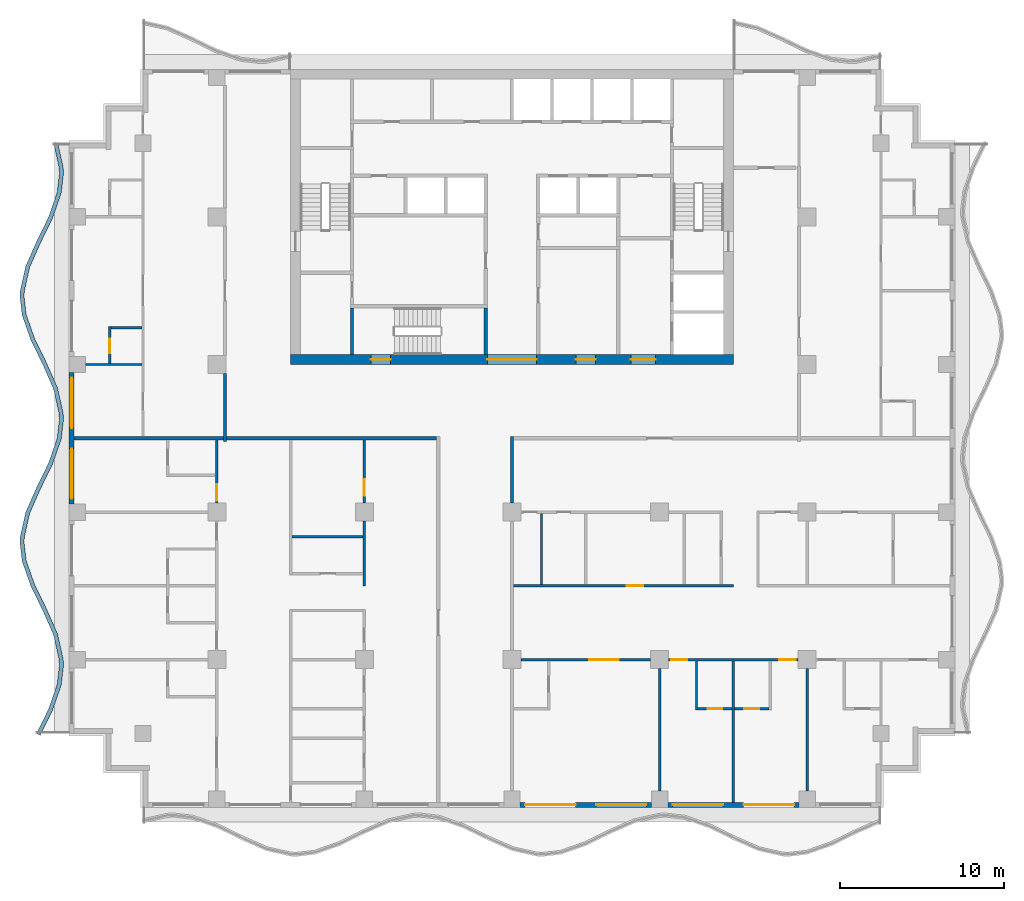
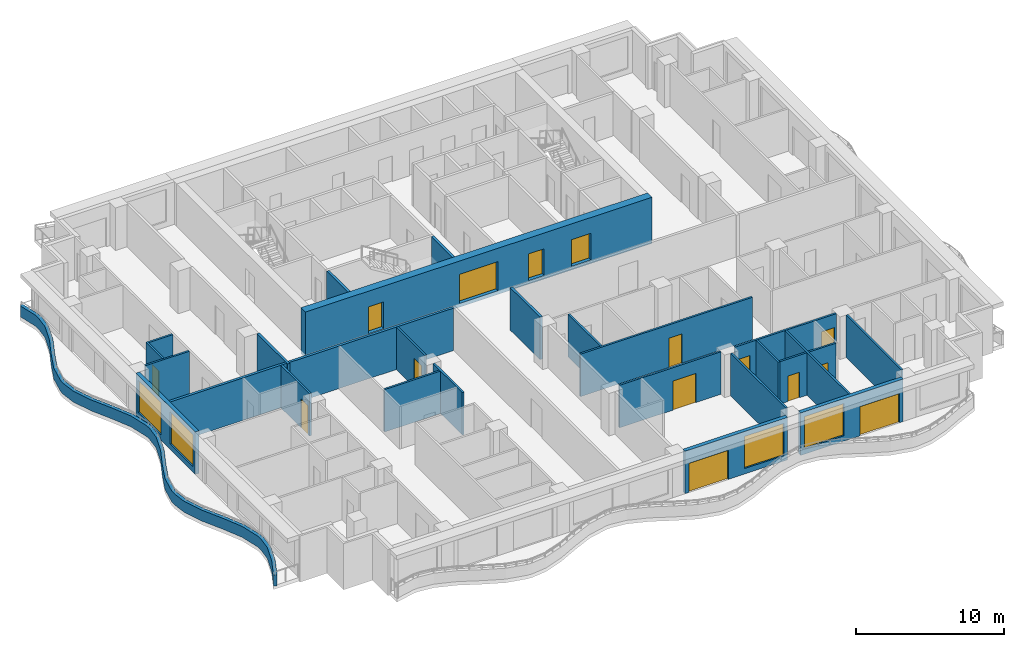
# One storey, part 3 of 11: 28 walls, 15 doors, 4 windows, 19 openings.
"""IFC4 building model written with IfcOpenShell, lengths in metres."""

from ifc_helpers import new_model, si_unit, direction, frame, frame_2d, origin, place, context, subcontext, project, spatial, polyline, rectangle, outline, extrude, material, layer, layer_set, type_object, element, fill, save


model = new_model("IFC4")

# Units and contexts
model_context = context("Model", 3, precision=1e-05, world=origin(), true_north=direction((0.0, 1.0)))
body_context = subcontext(model_context, "Body", "Model", "MODEL_VIEW")
ifc_project = project(units=[si_unit("LENGTHUNIT", "METRE"), si_unit("AREAUNIT", "SQUARE_METRE"), si_unit("VOLUMEUNIT", "CUBIC_METRE"), si_unit("PLANEANGLEUNIT", "RADIAN"), si_unit("MASSUNIT", "GRAM", prefix="KILO")], contexts=[model_context])

# Site, building, storey
site_placement = place(None, origin())
site = spatial("IfcSite", under=ifc_project, at=site_placement, CompositionType="ELEMENT")
building_placement = place(site_placement, origin())
building = spatial("IfcBuilding", under=site, at=building_placement, Name="Orbiselva Terraces", CompositionType="ELEMENT")
storey_placement = place(building_placement, frame((0.0, 0.0, 199.6)))
storey = spatial("IfcBuildingStorey", under=building, at=storey_placement, Name="L50", CompositionType="ELEMENT", Elevation=199.6)

# Wall, openings, doors
ifc_material_1 = material(Name="Concrete C80/95", Category="concrete")
ifc_layer_1 = layer(ifc_material_1, 0.6)
ifc_layer_set_1 = layer_set([ifc_layer_1], Name="Concrete C80/95")
wall_type_1 = type_object("IfcWallType", Name="CORE WALL 600", PredefinedType="SHEAR", material=ifc_layer_set_1)
wall_1_placement = place(storey_placement, frame((-13.5, 4.8, -0.3), z_axis=(0.0, 0.0, 1.0), x_axis=(1.0, 0.0, 0.0)))
wall_1 = element("IfcWall", 1, at=wall_1_placement, inside=storey, type_object=wall_type_1, Name="Core wall L50 south", PredefinedType="SHEAR", context=body_context, shape_type="SweptSolid", body=[
    extrude(rectangle(XDim=27.0, YDim=0.6, at=frame_2d((13.5, 0.0))), origin(), (0.0, 0.0, 1.0), 3.8),
])
opening_1_placement = place(wall_1_placement, frame((12.0, 0.0, 0.3)))
opening_1 = element("IfcOpeningElement", 2, at=opening_1_placement, cuts=wall_1, Name="Opening DL3000", PredefinedType="OPENING", context=body_context, shape_type="SweptSolid", body=[
    extrude(rectangle(XDim=3.0, YDim=2.4, at=frame_2d((1.5, 1.2))), frame((0.0, 0.31, 0.0), z_axis=(0.0, -1.0, 0.0), x_axis=(1.0, 0.0, 0.0)), (0.0, 0.0, 1.0), 0.62),
])
opening_2_placement = place(wall_1_placement, frame((4.9, 0.0, 0.3)))
opening_2 = element("IfcOpeningElement", 3, at=opening_2_placement, cuts=wall_1, Name="Opening DS1200", PredefinedType="OPENING", context=body_context, shape_type="SweptSolid", body=[
    extrude(rectangle(XDim=1.2, YDim=2.2, at=frame_2d((0.6, 1.1))), frame((0.0, 0.31, 0.0), z_axis=(0.0, -1.0, 0.0), x_axis=(1.0, 0.0, 0.0)), (0.0, 0.0, 1.0), 0.62),
])
opening_3_placement = place(wall_1_placement, frame((20.75, 0.0, 0.3)))
opening_3 = element("IfcOpeningElement", 4, at=opening_3_placement, cuts=wall_1, Name="Opening DF1500", PredefinedType="OPENING", context=body_context, shape_type="SweptSolid", body=[
    extrude(rectangle(XDim=1.5, YDim=2.2, at=frame_2d((0.75, 1.1))), frame((0.0, 0.31, 0.0), z_axis=(0.0, -1.0, 0.0), x_axis=(1.0, 0.0, 0.0)), (0.0, 0.0, 1.0), 0.62),
])
opening_4_placement = place(wall_1_placement, frame((17.4, 0.0, 0.3)))
opening_4 = element("IfcOpeningElement", 5, at=opening_4_placement, cuts=wall_1, Name="Opening DV1200", PredefinedType="OPENING", context=body_context, shape_type="SweptSolid", body=[
    extrude(rectangle(XDim=1.2, YDim=2.2, at=frame_2d((0.6, 1.1))), frame((0.0, 0.31, 0.0), z_axis=(0.0, -1.0, 0.0), x_axis=(1.0, 0.0, 0.0)), (0.0, 0.0, 1.0), 0.62),
])
ifc_material_2 = material(Name="Steel fire door", Category="steel")
door_type_1 = type_object("IfcDoorType", Name="FFL DOOR 1500", OperationType="DOUBLE_DOOR_SINGLE_SWING", PredefinedType="DOOR", material=ifc_material_2)
door_1_placement = place(opening_3_placement, frame((1.5, 0.0, 0.0), z_axis=(0.0, 0.0, 1.0), x_axis=(-1.0, 0.0, 0.0)))
door_1 = element("IfcDoor", 6, at=door_1_placement, inside=storey, type_object=door_type_1, Name="L50 FIRE-FIGHTING LOBBY door", OperationType="DOUBLE_DOOR_SINGLE_SWING", OverallHeight=2.2, OverallWidth=1.5, PredefinedType="DOOR", context=body_context, shape_type="SweptSolid", body=[
    extrude(rectangle(XDim=1.5, YDim=2.2, at=frame_2d((0.75, 1.1))), frame((0.0, 0.025, 0.0), z_axis=(0.0, -1.0, 0.0), x_axis=(1.0, 0.0, 0.0)), (0.0, 0.0, 1.0), 0.05),
])
fill(opening_3, door_1)
door_type_2 = type_object("IfcDoorType", Name="LOBBY DOOR 3000", OperationType="DOUBLE_DOOR_SINGLE_SWING", PredefinedType="DOOR", material=ifc_material_2)
door_2_placement = place(opening_1_placement, frame((3.0, 0.0, 0.0), z_axis=(0.0, 0.0, 1.0), x_axis=(-1.0, 0.0, 0.0)))
door_2 = element("IfcDoor", 7, at=door_2_placement, inside=storey, type_object=door_type_2, Name="L50 LIFT LOBBY door", OperationType="DOUBLE_DOOR_SINGLE_SWING", OverallHeight=2.4, OverallWidth=3.0, PredefinedType="DOOR", context=body_context, shape_type="SweptSolid", body=[
    extrude(rectangle(XDim=3.0, YDim=2.4, at=frame_2d((1.5, 1.2))), frame((0.0, 0.025, 0.0), z_axis=(0.0, -1.0, 0.0), x_axis=(1.0, 0.0, 0.0)), (0.0, 0.0, 1.0), 0.05),
])
fill(opening_1, door_2)
door_type_3 = type_object("IfcDoorType", Name="SERVICE DOOR 1200", OperationType="NOTDEFINED", PredefinedType="DOOR", material=ifc_material_2)
door_3_placement = place(opening_4_placement, frame((1.2, 0.0, 0.0), z_axis=(0.0, 0.0, 1.0), x_axis=(-1.0, 0.0, 0.0)))
door_3 = element("IfcDoor", 8, at=door_3_placement, inside=storey, type_object=door_type_3, Name="L50 SERVICE ROOM door", OperationType="SINGLE_SWING_RIGHT", OverallHeight=2.2, OverallWidth=1.2, PredefinedType="DOOR", context=body_context, shape_type="SweptSolid", body=[
    extrude(rectangle(XDim=1.2, YDim=2.2, at=frame_2d((0.6, 1.1))), frame((0.0, 0.025, 0.0), z_axis=(0.0, -1.0, 0.0), x_axis=(1.0, 0.0, 0.0)), (0.0, 0.0, 1.0), 0.05),
])
fill(opening_4, door_3)
door_type_4 = type_object("IfcDoorType", Name="STAIR DOOR 1200", OperationType="NOTDEFINED", PredefinedType="DOOR", material=ifc_material_2)
door_4_placement = place(opening_2_placement, frame((1.2, 0.0, 0.0), z_axis=(0.0, 0.0, 1.0), x_axis=(-1.0, 0.0, 0.0)))
door_4 = element("IfcDoor", 9, at=door_4_placement, inside=storey, type_object=door_type_4, Name="L50 EXIT STAIR S3 door", OperationType="SINGLE_SWING_LEFT", OverallHeight=2.2, OverallWidth=1.2, PredefinedType="DOOR", context=body_context, shape_type="SweptSolid", body=[
    extrude(rectangle(XDim=1.2, YDim=2.2, at=frame_2d((0.6, 1.1))), frame((0.0, 0.025, 0.0), z_axis=(0.0, -1.0, 0.0), x_axis=(1.0, 0.0, 0.0)), (0.0, 0.0, 1.0), 0.05),
])
fill(opening_2, door_4)

# Walls
ifc_material_3 = material(Name="Concrete C60/75", Category="concrete")
ifc_layer_2 = layer(ifc_material_3, 0.2)
ifc_layer_set_2 = layer_set([ifc_layer_2], Name="Concrete C60/75")
wall_type_2 = type_object("IfcWallType", Name="CORE-WALL-SHEAR-200", PredefinedType="SHEAR", material=ifc_layer_set_2)
for number, where, z_axis, x_axis, name in (
    (10, (-9.75, 5.1, 0.0), (0.0, 0.0, 1.0), (0.0, 1.0, 0.0), "L50 core wall 03"),
    (11, (-1.6, 5.1, 0.0), (0.0, 0.0, 1.0), (0.0, 1.0, 0.0), "L50 core wall 17"),
):
    element("IfcWall", number, at=place(storey_placement, frame(where, z_axis=z_axis, x_axis=x_axis)), inside=storey, type_object=wall_type_2, Name=name, PredefinedType="SHEAR", context=body_context, shape_type="SweptSolid", body=[
        extrude(rectangle(XDim=2.85, YDim=0.2, at=frame_2d((1.425, 0.0))), origin(), (0.0, 0.0, 1.0), 3.5),
    ])
ifc_material_4 = material(Name="Concrete C40/50", Category="concrete")
ifc_layer_3 = layer(ifc_material_4, 0.25)
ifc_layer_set_3 = layer_set([ifc_layer_3], Name="Concrete C40/50")
wall_type_3 = type_object("IfcWallType", Name="ENV-PLANTER-250x900", PredefinedType="USERDEFINED", material=ifc_layer_set_3)
wall_2_placement = place(storey_placement, origin())
element("IfcWall", 12, at=wall_2_placement, inside=storey, type_object=wall_type_3, Name="Balcony planter L50 W", ObjectType="PLANTER", PredefinedType="USERDEFINED", context=body_context, shape_type="SweptSolid", body=[
    extrude(outline(polyline([(-27.951472, 18.0), (-27.614774, 16.5), (-27.6, 16.125), (-27.730792, 15.0), (-28.255211, 13.5), (-28.987721, 12.0), (-29.648528, 10.5), (-29.985226, 9.0), (-30.0, 8.625), (-29.869208, 7.5), (-29.344789, 6.0), (-28.612279, 4.5), (-27.951472, 3.0), (-27.614774, 1.5), (-27.6, 1.125), (-27.730792, 0.0), (-28.255211, -1.5), (-28.987721, -3.0), (-29.648528, -4.5), (-29.985226, -6.0), (-30.0, -6.375), (-29.869208, -7.5), (-29.344789, -9.0), (-28.612279, -10.5), (-27.951472, -12.0), (-27.614774, -13.5), (-27.6, -13.875), (-27.730792, -15.0), (-28.255211, -16.5), (-28.987721, -18.0), (-28.763076, -18.109703), (-28.024089, -16.59644), (-27.485662, -15.056371), (-27.349429, -13.884572), (-27.365863, -13.467435), (-27.712874, -11.921492), (-28.385477, -10.394714), (-29.113667, -8.90356), (-29.624078, -7.443629), (-29.749429, -6.365428), (-29.736315, -6.032565), (-29.40993, -4.578508), (-28.760919, -3.105286), (-28.024089, -1.59644), (-27.485662, -0.056371), (-27.349429, 1.115428), (-27.365863, 1.532565), (-27.712874, 3.078508), (-28.385477, 4.605286), (-29.113667, 6.09644), (-29.624078, 7.556371), (-29.749429, 8.634572), (-29.736315, 8.967435), (-29.40993, 10.421492), (-28.760919, 11.894714), (-28.024089, 13.40356), (-27.485662, 14.943629), (-27.349429, 16.115428), (-27.365863, 16.532565), (-27.707542, 18.054754), (-27.951472, 18.0)])), origin(), (0.0, 0.0, 1.0), 0.9),
])

# Wall, openings, door, window
ifc_material_5 = material(Name="Terracotta cladding on masonry backing", Category="masonry")
ifc_layer_4 = layer(ifc_material_5, 0.3)
ifc_layer_set_4 = layer_set([ifc_layer_4], Name="Terracotta cladding on masonry backing")
wall_type_4 = type_object("IfcWallType", Name="ENV-WALL-TERRACOTTA-300", PredefinedType="SOLIDWALL", material=ifc_layer_set_4)
wall_3_placement = place(storey_placement, frame((8.5, -22.35, 0.0), z_axis=(0.0, 0.0, 1.0), x_axis=(-1.0, 0.0, 0.0)))
wall_3 = element("IfcWall", 13, at=wall_3_placement, inside=storey, type_object=wall_type_4, Name="Facade wall L50 S", PredefinedType="SOLIDWALL", context=body_context, shape_type="SweptSolid", body=[
    extrude(rectangle(XDim=8.0, YDim=0.3, at=frame_2d((4.0, 0.0))), origin(), (0.0, 0.0, 1.0), 3.5),
])
opening_5_placement = place(wall_3_placement, frame((4.625, 0.0, 0.0)))
opening_5 = element("IfcOpeningElement", 14, at=opening_5_placement, cuts=wall_3, Name="Opening Z4-B-E12", PredefinedType="OPENING", context=body_context, shape_type="SweptSolid", body=[
    extrude(rectangle(XDim=3.075, YDim=2.4, at=frame_2d((1.5375, 1.2))), frame((0.0, 0.16, 0.0), z_axis=(0.0, -1.0, 0.0), x_axis=(1.0, 0.0, 0.0)), (0.0, 0.0, 1.0), 0.32),
])
opening_6_placement = place(wall_3_placement, frame((0.3, 0.0, 0.45)))
opening_6 = element("IfcOpeningElement", 15, at=opening_6_placement, cuts=wall_3, Name="Opening WN15", PredefinedType="OPENING", context=body_context, shape_type="SweptSolid", body=[
    extrude(rectangle(XDim=3.075, YDim=2.65, at=frame_2d((1.5375, 1.325))), frame((0.0, 0.16, 0.0), z_axis=(0.0, -1.0, 0.0), x_axis=(1.0, 0.0, 0.0)), (0.0, 0.0, 1.0), 0.32),
])
ifc_material_6 = material(Name="Clear low-e glazing in aluminium frame", Category="aluminium")
door_type_5 = type_object("IfcDoorType", Name="BALCONY DOOR 3075 X 2400", OperationType="DOUBLE_DOOR_SLIDING", PredefinedType="DOOR", material=ifc_material_6)
door_5_placement = place(opening_5_placement, origin())
door_5 = element("IfcDoor", 16, at=door_5_placement, inside=storey, type_object=door_type_5, Name="Z4-B-E12", OperationType="SINGLE_SWING_LEFT", OverallHeight=2.4, OverallWidth=3.075, PredefinedType="DOOR", context=body_context, shape_type="SweptSolid", body=[
    extrude(rectangle(XDim=3.075, YDim=2.4, at=frame_2d((1.5375, 1.2))), frame((0.0, 0.025, 0.0), z_axis=(0.0, -1.0, 0.0), x_axis=(1.0, 0.0, 0.0)), (0.0, 0.0, 1.0), 0.05),
])
fill(opening_5, door_5)
window_type = type_object("IfcWindowType", Name="WINDOW 3075 X 2650 S450", PartitioningType="TRIPLE_PANEL_VERTICAL", PredefinedType="WINDOW", material=ifc_material_6)
window_1_placement = place(opening_6_placement, origin())
window_1 = element("IfcWindow", 17, at=window_1_placement, inside=storey, type_object=window_type, Name="Window L50 S", OverallHeight=2.65, OverallWidth=3.075, PartitioningType="SINGLE_PANEL", PredefinedType="WINDOW", context=body_context, shape_type="SweptSolid", body=[
    extrude(rectangle(XDim=3.075, YDim=2.65, at=frame_2d((1.5375, 1.325))), frame((0.0, 0.03, 0.0), z_axis=(0.0, -1.0, 0.0), x_axis=(1.0, 0.0, 0.0)), (0.0, 0.0, 1.0), 0.06),
])
fill(opening_6, window_1)

wall_4_placement = place(storey_placement, frame((17.5, -22.35, 0.0), z_axis=(0.0, 0.0, 1.0), x_axis=(-1.0, 0.0, 0.0)))
wall_4 = element("IfcWall", 18, at=wall_4_placement, inside=storey, type_object=wall_type_4, Name="Facade wall L50 S", PredefinedType="SOLIDWALL", context=body_context, shape_type="SweptSolid", body=[
    extrude(rectangle(XDim=8.0, YDim=0.3, at=frame_2d((4.0, 0.0))), origin(), (0.0, 0.0, 1.0), 3.5),
])
opening_7_placement = place(wall_4_placement, frame((4.625, 0.0, 0.45)))
opening_7 = element("IfcOpeningElement", 19, at=opening_7_placement, cuts=wall_4, Name="Opening WN15", PredefinedType="OPENING", context=body_context, shape_type="SweptSolid", body=[
    extrude(rectangle(XDim=3.075, YDim=2.65, at=frame_2d((1.5375, 1.325))), frame((0.0, 0.16, 0.0), z_axis=(0.0, -1.0, 0.0), x_axis=(1.0, 0.0, 0.0)), (0.0, 0.0, 1.0), 0.32),
])
opening_8_placement = place(wall_4_placement, frame((0.3, 0.0, 0.0)))
opening_8 = element("IfcOpeningElement", 20, at=opening_8_placement, cuts=wall_4, Name="Opening Z4-B-E13", PredefinedType="OPENING", context=body_context, shape_type="SweptSolid", body=[
    extrude(rectangle(XDim=3.075, YDim=2.4, at=frame_2d((1.5375, 1.2))), frame((0.0, 0.16, 0.0), z_axis=(0.0, -1.0, 0.0), x_axis=(1.0, 0.0, 0.0)), (0.0, 0.0, 1.0), 0.32),
])
door_6_placement = place(opening_8_placement, origin())
door_6 = element("IfcDoor", 21, at=door_6_placement, inside=storey, type_object=door_type_5, Name="Z4-B-E13", OperationType="SINGLE_SWING_LEFT", OverallHeight=2.4, OverallWidth=3.075, PredefinedType="DOOR", context=body_context, shape_type="SweptSolid", body=[
    extrude(rectangle(XDim=3.075, YDim=2.4, at=frame_2d((1.5375, 1.2))), frame((0.0, 0.025, 0.0), z_axis=(0.0, -1.0, 0.0), x_axis=(1.0, 0.0, 0.0)), (0.0, 0.0, 1.0), 0.05),
])
fill(opening_8, door_6)
window_2_placement = place(opening_7_placement, origin())
window_2 = element("IfcWindow", 22, at=window_2_placement, inside=storey, type_object=window_type, Name="Window L50 S", OverallHeight=2.65, OverallWidth=3.075, PartitioningType="SINGLE_PANEL", PredefinedType="WINDOW", context=body_context, shape_type="SweptSolid", body=[
    extrude(rectangle(XDim=3.075, YDim=2.65, at=frame_2d((1.5375, 1.325))), frame((0.0, 0.03, 0.0), z_axis=(0.0, -1.0, 0.0), x_axis=(1.0, 0.0, 0.0)), (0.0, 0.0, 1.0), 0.06),
])
fill(opening_7, window_2)

# Wall, openings, windows
wall_5_placement = place(storey_placement, frame((-26.85, -4.0, 0.0), z_axis=(0.0, 0.0, 1.0), x_axis=(0.0, 1.0, 0.0)))
wall_5 = element("IfcWall", 23, at=wall_5_placement, inside=storey, type_object=wall_type_4, Name="Facade wall L50 W", PredefinedType="SOLIDWALL", context=body_context, shape_type="SweptSolid", body=[
    extrude(rectangle(XDim=8.0, YDim=0.3, at=frame_2d((4.0, 0.0))), origin(), (0.0, 0.0, 1.0), 3.5),
])
opening_9_placement = place(wall_5_placement, frame((4.625, 0.0, 0.45)))
opening_9 = element("IfcOpeningElement", 24, at=opening_9_placement, cuts=wall_5, Name="Opening WN15", PredefinedType="OPENING", context=body_context, shape_type="SweptSolid", body=[
    extrude(rectangle(XDim=3.075, YDim=2.65, at=frame_2d((1.5375, 1.325))), frame((0.0, 0.16, 0.0), z_axis=(0.0, -1.0, 0.0), x_axis=(1.0, 0.0, 0.0)), (0.0, 0.0, 1.0), 0.32),
])
opening_10_placement = place(wall_5_placement, frame((0.3, 0.0, 0.45)))
opening_10 = element("IfcOpeningElement", 25, at=opening_10_placement, cuts=wall_5, Name="Opening WN15", PredefinedType="OPENING", context=body_context, shape_type="SweptSolid", body=[
    extrude(rectangle(XDim=3.075, YDim=2.65, at=frame_2d((1.5375, 1.325))), frame((0.0, 0.16, 0.0), z_axis=(0.0, -1.0, 0.0), x_axis=(1.0, 0.0, 0.0)), (0.0, 0.0, 1.0), 0.32),
])
window_3_placement = place(opening_9_placement, origin())
window_3 = element("IfcWindow", 26, at=window_3_placement, inside=storey, type_object=window_type, Name="Window L50 W", OverallHeight=2.65, OverallWidth=3.075, PartitioningType="SINGLE_PANEL", PredefinedType="WINDOW", context=body_context, shape_type="SweptSolid", body=[
    extrude(rectangle(XDim=3.075, YDim=2.65, at=frame_2d((1.5375, 1.325))), frame((0.0, 0.03, 0.0), z_axis=(0.0, -1.0, 0.0), x_axis=(1.0, 0.0, 0.0)), (0.0, 0.0, 1.0), 0.06),
])
fill(opening_9, window_3)
window_4_placement = place(opening_10_placement, origin())
window_4 = element("IfcWindow", 27, at=window_4_placement, inside=storey, type_object=window_type, Name="Window L50 W", OverallHeight=2.65, OverallWidth=3.075, PartitioningType="SINGLE_PANEL", PredefinedType="WINDOW", context=body_context, shape_type="SweptSolid", body=[
    extrude(rectangle(XDim=3.075, YDim=2.65, at=frame_2d((1.5375, 1.325))), frame((0.0, 0.03, 0.0), z_axis=(0.0, -1.0, 0.0), x_axis=(1.0, 0.0, 0.0)), (0.0, 0.0, 1.0), 0.06),
])
fill(opening_10, window_4)

# Walls
ifc_material_7 = material(Name="Plasterboard on steel stud partition", Category="steel")
ifc_layer_5 = layer(ifc_material_7, 0.2)
ifc_layer_set_5 = layer_set([ifc_layer_5], Name="Plasterboard on steel stud partition")
wall_type_5 = type_object("IfcWallType", Name="UNIT-ENTRANCE-WALL-200", PredefinedType="PARTITIONING", material=ifc_layer_set_5)
wall_6_placement = place(storey_placement, frame((-17.4, 0.0, 0.0), z_axis=(0.0, 0.0, 1.0), x_axis=(1.0, 0.0, 0.0)))
element("IfcWall", 28, at=wall_6_placement, inside=storey, type_object=wall_type_5, Name="PARTITION L50-029", PredefinedType="PARTITIONING", context=body_context, shape_type="SweptSolid", body=[
    extrude(rectangle(XDim=12.8, YDim=0.2, at=frame_2d((6.4, 0.0))), origin(), (0.0, 0.0, 1.0), 3.5),
])
wall_7_placement = place(storey_placement, frame((-17.5, -0.2, 0.0), z_axis=(0.0, 0.0, 1.0), x_axis=(0.0, 1.0, 0.0)))
element("IfcWall", 29, at=wall_7_placement, inside=storey, type_object=wall_type_5, Name="PARTITION L50-052", PredefinedType="PARTITIONING", context=body_context, shape_type="SweptSolid", body=[
    extrude(rectangle(XDim=4.15, YDim=0.2, at=frame_2d((2.075, 0.0))), origin(), (0.0, 0.0, 1.0), 3.5),
])
wall_8_placement = place(storey_placement, frame((0.0, -3.95, 0.0), z_axis=(0.0, 0.0, 1.0), x_axis=(0.0, 1.0, 0.0)))
element("IfcWall", 30, at=wall_8_placement, inside=storey, type_object=wall_type_5, Name="PARTITION L50-064", PredefinedType="PARTITIONING", context=body_context, shape_type="SweptSolid", body=[
    extrude(rectangle(XDim=4.05, YDim=0.2, at=frame_2d((2.025, 0.0))), origin(), (0.0, 0.0, 1.0), 3.5),
])

# Wall, opening, door
ifc_layer_6 = layer(ifc_material_7, 0.15)
ifc_layer_set_6 = layer_set([ifc_layer_6], Name="Plasterboard on steel stud partition")
wall_type_6 = type_object("IfcWallType", Name="UNIT-PARTITION-150", PredefinedType="PARTITIONING", material=ifc_layer_set_6)
wall_9_placement = place(storey_placement, frame((11.325, -16.5, 0.0), z_axis=(0.0, 0.0, 1.0), x_axis=(1.0, 0.0, 0.0)))
wall_9 = element("IfcWall", 31, at=wall_9_placement, inside=storey, type_object=wall_type_6, Name="PARTITION L50-005", PredefinedType="PARTITIONING", context=body_context, shape_type="SweptSolid", body=[
    extrude(rectangle(XDim=2.1, YDim=0.15, at=frame_2d((1.05, 0.0))), origin(), (0.0, 0.0, 1.0), 3.5),
])
opening_11_placement = place(wall_9_placement, frame((0.6, 0.0, 0.0)))
opening_11 = element("IfcOpeningElement", 32, at=opening_11_placement, cuts=wall_9, Name="Opening Z4-B-41", PredefinedType="OPENING", context=body_context, shape_type="SweptSolid", body=[
    extrude(rectangle(XDim=0.9, YDim=2.1, at=frame_2d((0.45, 1.05))), frame((0.0, 0.085, 0.0), z_axis=(0.0, -1.0, 0.0), x_axis=(1.0, 0.0, 0.0)), (0.0, 0.0, 1.0), 0.17),
])
ifc_material_8 = material(Name="Painted timber door leaf", Category="wood")
door_type_6 = type_object("IfcDoorType", Name="BATH DOOR 900", OperationType="NOTDEFINED", PredefinedType="DOOR", material=ifc_material_8)
door_7_placement = place(opening_11_placement, origin())
door_7 = element("IfcDoor", 33, at=door_7_placement, inside=storey, type_object=door_type_6, Name="Z4-B-41", OperationType="SINGLE_SWING_LEFT", OverallHeight=2.1, OverallWidth=0.9, PredefinedType="DOOR", context=body_context, shape_type="SweptSolid", body=[
    extrude(rectangle(XDim=0.9, YDim=2.1, at=frame_2d((0.45, 1.05))), frame((0.0, 0.025, 0.0), z_axis=(0.0, -1.0, 0.0), x_axis=(1.0, 0.0, 0.0)), (0.0, 0.0, 1.0), 0.05),
])
fill(opening_11, door_7)

wall_10_placement = place(storey_placement, frame((13.575, -16.5, 0.0), z_axis=(0.0, 0.0, 1.0), x_axis=(1.0, 0.0, 0.0)))
wall_10 = element("IfcWall", 34, at=wall_10_placement, inside=storey, type_object=wall_type_6, Name="PARTITION L50-006", PredefinedType="PARTITIONING", context=body_context, shape_type="SweptSolid", body=[
    extrude(rectangle(XDim=2.1, YDim=0.15, at=frame_2d((1.05, 0.0))), origin(), (0.0, 0.0, 1.0), 3.5),
])
opening_12_placement = place(wall_10_placement, frame((0.6, 0.0, 0.0)))
opening_12 = element("IfcOpeningElement", 35, at=opening_12_placement, cuts=wall_10, Name="Opening Z4-B-43", PredefinedType="OPENING", context=body_context, shape_type="SweptSolid", body=[
    extrude(rectangle(XDim=0.9, YDim=2.1, at=frame_2d((0.45, 1.05))), frame((0.0, 0.085, 0.0), z_axis=(0.0, -1.0, 0.0), x_axis=(1.0, 0.0, 0.0)), (0.0, 0.0, 1.0), 0.17),
])
door_8_placement = place(opening_12_placement, origin())
door_8 = element("IfcDoor", 36, at=door_8_placement, inside=storey, type_object=door_type_6, Name="Z4-B-43", OperationType="SINGLE_SWING_LEFT", OverallHeight=2.1, OverallWidth=0.9, PredefinedType="DOOR", context=body_context, shape_type="SweptSolid", body=[
    extrude(rectangle(XDim=0.9, YDim=2.1, at=frame_2d((0.45, 1.05))), frame((0.0, 0.025, 0.0), z_axis=(0.0, -1.0, 0.0), x_axis=(1.0, 0.0, 0.0)), (0.0, 0.0, 1.0), 0.05),
])
fill(opening_12, door_8)

wall_11_placement = place(storey_placement, frame((8.45, -13.5, 0.0), z_axis=(0.0, 0.0, 1.0), x_axis=(-1.0, 0.0, 0.0)))
wall_11 = element("IfcWall", 37, at=wall_11_placement, inside=storey, type_object=wall_type_6, Name="PARTITION L50-011", PredefinedType="PARTITIONING", context=body_context, shape_type="SweptSolid", body=[
    extrude(rectangle(XDim=7.9, YDim=0.15, at=frame_2d((3.95, 0.0))), origin(), (0.0, 0.0, 1.0), 3.5),
])
opening_13_placement = place(wall_11_placement, frame((1.95, 0.0, 0.0)))
opening_13 = element("IfcOpeningElement", 38, at=opening_13_placement, cuts=wall_11, Name="Opening Z4-B-38", PredefinedType="OPENING", context=body_context, shape_type="SweptSolid", body=[
    extrude(rectangle(XDim=1.8, YDim=2.4, at=frame_2d((0.9, 1.2))), frame((0.0, 0.085, 0.0), z_axis=(0.0, -1.0, 0.0), x_axis=(1.0, 0.0, 0.0)), (0.0, 0.0, 1.0), 0.17),
])
door_type_7 = type_object("IfcDoorType", Name="DOUBLE DOOR 1800", OperationType="NOTDEFINED", PredefinedType="DOOR", material=ifc_material_8)
door_9_placement = place(opening_13_placement, origin())
door_9 = element("IfcDoor", 39, at=door_9_placement, inside=storey, type_object=door_type_7, Name="Z4-B-38", OperationType="DOUBLE_DOOR_SINGLE_SWING", OverallHeight=2.4, OverallWidth=1.8, PredefinedType="DOOR", context=body_context, shape_type="SweptSolid", body=[
    extrude(rectangle(XDim=1.8, YDim=2.4, at=frame_2d((0.9, 1.2))), frame((0.0, 0.025, 0.0), z_axis=(0.0, -1.0, 0.0), x_axis=(1.0, 0.0, 0.0)), (0.0, 0.0, 1.0), 0.05),
])
fill(opening_13, door_9)

# Wall, openings, doors
wall_12_placement = place(storey_placement, frame((17.45, -13.5, 0.0), z_axis=(0.0, 0.0, 1.0), x_axis=(-1.0, 0.0, 0.0)))
wall_12 = element("IfcWall", 40, at=wall_12_placement, inside=storey, type_object=wall_type_6, Name="PARTITION L50-012", PredefinedType="PARTITIONING", context=body_context, shape_type="SweptSolid", body=[
    extrude(rectangle(XDim=7.9, YDim=0.15, at=frame_2d((3.95, 0.0))), origin(), (0.0, 0.0, 1.0), 3.5),
])
opening_14_placement = place(wall_12_placement, frame((6.75, 0.0, 0.0)))
opening_14 = element("IfcOpeningElement", 41, at=opening_14_placement, cuts=wall_12, Name="Opening Z4-B-40", PredefinedType="OPENING", context=body_context, shape_type="SweptSolid", body=[
    extrude(rectangle(XDim=1.0, YDim=2.4, at=frame_2d((0.5, 1.2))), frame((0.0, 0.085, 0.0), z_axis=(0.0, -1.0, 0.0), x_axis=(1.0, 0.0, 0.0)), (0.0, 0.0, 1.0), 0.17),
])
opening_15_placement = place(wall_12_placement, frame((0.15, 0.0, 0.0)))
opening_15 = element("IfcOpeningElement", 42, at=opening_15_placement, cuts=wall_12, Name="Opening Z4-B-42", PredefinedType="OPENING", context=body_context, shape_type="SweptSolid", body=[
    extrude(rectangle(XDim=1.0, YDim=2.4, at=frame_2d((0.5, 1.2))), frame((0.0, 0.085, 0.0), z_axis=(0.0, -1.0, 0.0), x_axis=(1.0, 0.0, 0.0)), (0.0, 0.0, 1.0), 0.17),
])
door_type_8 = type_object("IfcDoorType", Name="ROOM DOOR 1000", OperationType="NOTDEFINED", PredefinedType="DOOR", material=ifc_material_8)
door_10_placement = place(opening_14_placement, origin())
door_10 = element("IfcDoor", 43, at=door_10_placement, inside=storey, type_object=door_type_8, Name="Z4-B-40", OperationType="SINGLE_SWING_RIGHT", OverallHeight=2.4, OverallWidth=1.0, PredefinedType="DOOR", context=body_context, shape_type="SweptSolid", body=[
    extrude(rectangle(XDim=1.0, YDim=2.4, at=frame_2d((0.5, 1.2))), frame((0.0, 0.025, 0.0), z_axis=(0.0, -1.0, 0.0), x_axis=(1.0, 0.0, 0.0)), (0.0, 0.0, 1.0), 0.05),
])
fill(opening_14, door_10)
door_11_placement = place(opening_15_placement, origin())
door_11 = element("IfcDoor", 44, at=door_11_placement, inside=storey, type_object=door_type_8, Name="Z4-B-42", OperationType="SINGLE_SWING_LEFT", OverallHeight=2.4, OverallWidth=1.0, PredefinedType="DOOR", context=body_context, shape_type="SweptSolid", body=[
    extrude(rectangle(XDim=1.0, YDim=2.4, at=frame_2d((0.5, 1.2))), frame((0.0, 0.025, 0.0), z_axis=(0.0, -1.0, 0.0), x_axis=(1.0, 0.0, 0.0)), (0.0, 0.0, 1.0), 0.05),
])
fill(opening_15, door_11)

# Wall, opening, door
wall_13_placement = place(storey_placement, frame((0.1, -9.0, 0.0), z_axis=(0.0, 0.0, 1.0), x_axis=(1.0, 0.0, 0.0)))
wall_13 = element("IfcWall", 45, at=wall_13_placement, inside=storey, type_object=wall_type_6, Name="PARTITION L50-018", PredefinedType="PARTITIONING", context=body_context, shape_type="SweptSolid", body=[
    extrude(rectangle(XDim=13.4, YDim=0.15, at=frame_2d((6.7, 0.0))), origin(), (0.0, 0.0, 1.0), 3.5),
])
opening_16_placement = place(wall_13_placement, frame((6.9, 0.0, 0.0)))
opening_16 = element("IfcOpeningElement", 46, at=opening_16_placement, cuts=wall_13, Name="Opening Z4-B-33", PredefinedType="OPENING", context=body_context, shape_type="SweptSolid", body=[
    extrude(rectangle(XDim=1.0, YDim=2.4, at=frame_2d((0.5, 1.2))), frame((0.0, 0.085, 0.0), z_axis=(0.0, -1.0, 0.0), x_axis=(1.0, 0.0, 0.0)), (0.0, 0.0, 1.0), 0.17),
])
door_12_placement = place(opening_16_placement, origin())
door_12 = element("IfcDoor", 47, at=door_12_placement, inside=storey, type_object=door_type_8, Name="Z4-B-33", OperationType="SINGLE_SWING_RIGHT", OverallHeight=2.4, OverallWidth=1.0, PredefinedType="DOOR", context=body_context, shape_type="SweptSolid", body=[
    extrude(rectangle(XDim=1.0, YDim=2.4, at=frame_2d((0.5, 1.2))), frame((0.0, 0.025, 0.0), z_axis=(0.0, -1.0, 0.0), x_axis=(1.0, 0.0, 0.0)), (0.0, 0.0, 1.0), 0.05),
])
fill(opening_16, door_12)

# Walls
wall_14_placement = place(storey_placement, frame((-13.425, -6.0, 0.0), z_axis=(0.0, 0.0, 1.0), x_axis=(1.0, 0.0, 0.0)))
element("IfcWall", 48, at=wall_14_placement, inside=storey, type_object=wall_type_6, Name="PARTITION L50-022", PredefinedType="PARTITIONING", context=body_context, shape_type="SweptSolid", body=[
    extrude(rectangle(XDim=4.35, YDim=0.15, at=frame_2d((2.175, 0.0))), origin(), (0.0, 0.0, 1.0), 3.5),
])
wall_15_placement = place(storey_placement, frame((-26.0, 4.5, 0.0), z_axis=(0.0, 0.0, 1.0), x_axis=(1.0, 0.0, 0.0)))
element("IfcWall", 49, at=wall_15_placement, inside=storey, type_object=wall_type_6, Name="PARTITION L50-034", PredefinedType="PARTITIONING", context=body_context, shape_type="SweptSolid", body=[
    extrude(rectangle(XDim=3.425, YDim=0.15, at=frame_2d((1.7125, 0.0))), origin(), (0.0, 0.0, 1.0), 3.5),
])
wall_16_placement = place(storey_placement, frame((-24.45, 6.75, 0.0), z_axis=(0.0, 0.0, 1.0), x_axis=(1.0, 0.0, 0.0)))
element("IfcWall", 50, at=wall_16_placement, inside=storey, type_object=wall_type_6, Name="PARTITION L50-035", PredefinedType="PARTITIONING", context=body_context, shape_type="SweptSolid", body=[
    extrude(rectangle(XDim=1.875, YDim=0.15, at=frame_2d((0.9375, 0.0))), origin(), (0.0, 0.0, 1.0), 3.5),
])

# Wall, opening, door
wall_17_placement = place(storey_placement, frame((-24.525, 6.825, 0.0), z_axis=(0.0, 0.0, 1.0), x_axis=(0.0, -1.0, 0.0)))
wall_17 = element("IfcWall", 51, at=wall_17_placement, inside=storey, type_object=wall_type_6, Name="PARTITION L50-042", PredefinedType="PARTITIONING", context=body_context, shape_type="SweptSolid", body=[
    extrude(rectangle(XDim=2.25, YDim=0.15, at=frame_2d((1.125, 0.0))), origin(), (0.0, 0.0, 1.0), 3.5),
])
opening_17_placement = place(wall_17_placement, frame((0.75, 0.0, 0.0)))
opening_17 = element("IfcOpeningElement", 52, at=opening_17_placement, cuts=wall_17, Name="Opening Z4-B-05", PredefinedType="OPENING", context=body_context, shape_type="SweptSolid", body=[
    extrude(rectangle(XDim=0.9, YDim=2.1, at=frame_2d((0.45, 1.05))), frame((0.0, 0.085, 0.0), z_axis=(0.0, -1.0, 0.0), x_axis=(1.0, 0.0, 0.0)), (0.0, 0.0, 1.0), 0.17),
])
door_13_placement = place(opening_17_placement, origin())
door_13 = element("IfcDoor", 53, at=door_13_placement, inside=storey, type_object=door_type_6, Name="Z4-B-05", OperationType="SINGLE_SWING_RIGHT", OverallHeight=2.1, OverallWidth=0.9, PredefinedType="DOOR", context=body_context, shape_type="SweptSolid", body=[
    extrude(rectangle(XDim=0.9, YDim=2.1, at=frame_2d((0.45, 1.05))), frame((0.0, 0.025, 0.0), z_axis=(0.0, -1.0, 0.0), x_axis=(1.0, 0.0, 0.0)), (0.0, 0.0, 1.0), 0.05),
])
fill(opening_17, door_13)

wall_18_placement = place(storey_placement, frame((-18.0, -3.95, 0.0), z_axis=(0.0, 0.0, 1.0), x_axis=(0.0, 1.0, 0.0)))
wall_18 = element("IfcWall", 54, at=wall_18_placement, inside=storey, type_object=wall_type_6, Name="PARTITION L50-051", PredefinedType="PARTITIONING", context=body_context, shape_type="SweptSolid", body=[
    extrude(rectangle(XDim=3.85, YDim=0.15, at=frame_2d((1.925, 0.0))), origin(), (0.0, 0.0, 1.0), 3.5),
])
opening_18_placement = place(wall_18_placement, frame((0.15, 0.0, 0.0)))
opening_18 = element("IfcOpeningElement", 55, at=opening_18_placement, cuts=wall_18, Name="Opening Z4-B-22", PredefinedType="OPENING", context=body_context, shape_type="SweptSolid", body=[
    extrude(rectangle(XDim=1.0, YDim=2.4, at=frame_2d((0.5, 1.2))), frame((0.0, 0.085, 0.0), z_axis=(0.0, -1.0, 0.0), x_axis=(1.0, 0.0, 0.0)), (0.0, 0.0, 1.0), 0.17),
])
door_14_placement = place(opening_18_placement, origin())
door_14 = element("IfcDoor", 56, at=door_14_placement, inside=storey, type_object=door_type_8, Name="Z4-B-22", OperationType="SINGLE_SWING_LEFT", OverallHeight=2.4, OverallWidth=1.0, PredefinedType="DOOR", context=body_context, shape_type="SweptSolid", body=[
    extrude(rectangle(XDim=1.0, YDim=2.4, at=frame_2d((0.5, 1.2))), frame((0.0, 0.025, 0.0), z_axis=(0.0, -1.0, 0.0), x_axis=(1.0, 0.0, 0.0)), (0.0, 0.0, 1.0), 0.05),
])
fill(opening_18, door_14)

# Wall
wall_19_placement = place(storey_placement, frame((-9.0, -9.0, 0.0), z_axis=(0.0, 0.0, 1.0), x_axis=(0.0, 1.0, 0.0)))
element("IfcWall", 57, at=wall_19_placement, inside=storey, type_object=wall_type_6, Name="PARTITION L50-059", PredefinedType="PARTITIONING", context=body_context, shape_type="SweptSolid", body=[
    extrude(rectangle(XDim=3.95, YDim=0.15, at=frame_2d((1.975, 0.0))), origin(), (0.0, 0.0, 1.0), 3.5),
])

# Wall, opening, door
wall_20_placement = place(storey_placement, frame((-9.0, -3.95, 0.0), z_axis=(0.0, 0.0, 1.0), x_axis=(0.0, 1.0, 0.0)))
wall_20 = element("IfcWall", 58, at=wall_20_placement, inside=storey, type_object=wall_type_6, Name="PARTITION L50-060", PredefinedType="PARTITIONING", context=body_context, shape_type="SweptSolid", body=[
    extrude(rectangle(XDim=3.85, YDim=0.15, at=frame_2d((1.925, 0.0))), origin(), (0.0, 0.0, 1.0), 3.5),
])
opening_19_placement = place(wall_20_placement, frame((0.45, 0.0, 0.0)))
opening_19 = element("IfcOpeningElement", 59, at=opening_19_placement, cuts=wall_20, Name="Opening Z4-B-15", PredefinedType="OPENING", context=body_context, shape_type="SweptSolid", body=[
    extrude(rectangle(XDim=1.0, YDim=2.4, at=frame_2d((0.5, 1.2))), frame((0.0, 0.085, 0.0), z_axis=(0.0, -1.0, 0.0), x_axis=(1.0, 0.0, 0.0)), (0.0, 0.0, 1.0), 0.17),
])
door_15_placement = place(opening_19_placement, origin())
door_15 = element("IfcDoor", 60, at=door_15_placement, inside=storey, type_object=door_type_8, Name="Z4-B-15", OperationType="SINGLE_SWING_LEFT", OverallHeight=2.4, OverallWidth=1.0, PredefinedType="DOOR", context=body_context, shape_type="SweptSolid", body=[
    extrude(rectangle(XDim=1.0, YDim=2.4, at=frame_2d((0.5, 1.2))), frame((0.0, 0.025, 0.0), z_axis=(0.0, -1.0, 0.0), x_axis=(1.0, 0.0, 0.0)), (0.0, 0.0, 1.0), 0.05),
])
fill(opening_19, door_15)

# Walls
wall_21_placement = place(storey_placement, frame((1.8, -8.925, 0.0), z_axis=(0.0, 0.0, 1.0), x_axis=(0.0, 1.0, 0.0)))
element("IfcWall", 61, at=wall_21_placement, inside=storey, type_object=wall_type_6, Name="PARTITION L50-065", PredefinedType="PARTITIONING", context=body_context, shape_type="SweptSolid", body=[
    extrude(rectangle(XDim=4.35, YDim=0.15, at=frame_2d((2.175, 0.0))), origin(), (0.0, 0.0, 1.0), 3.5),
])
wall_22_placement = place(storey_placement, frame((9.0, -21.5, 0.0), z_axis=(0.0, 0.0, 1.0), x_axis=(0.0, 1.0, 0.0)))
element("IfcWall", 62, at=wall_22_placement, inside=storey, type_object=wall_type_6, Name="PARTITION L50-068", PredefinedType="PARTITIONING", context=body_context, shape_type="SweptSolid", body=[
    extrude(rectangle(XDim=7.45, YDim=0.15, at=frame_2d((3.725, 0.0))), origin(), (0.0, 0.0, 1.0), 3.5),
])
wall_23_placement = place(storey_placement, frame((11.25, -16.575, 0.0), z_axis=(0.0, 0.0, 1.0), x_axis=(0.0, 1.0, 0.0)))
element("IfcWall", 63, at=wall_23_placement, inside=storey, type_object=wall_type_6, Name="PARTITION L50-070", PredefinedType="PARTITIONING", context=body_context, shape_type="SweptSolid", body=[
    extrude(rectangle(XDim=3.0, YDim=0.15, at=frame_2d((1.5, 0.0))), origin(), (0.0, 0.0, 1.0), 3.5),
])
wall_24_placement = place(storey_placement, frame((13.5, -22.2, 0.0), z_axis=(0.0, 0.0, 1.0), x_axis=(0.0, 1.0, 0.0)))
element("IfcWall", 64, at=wall_24_placement, inside=storey, type_object=wall_type_6, Name="PARTITION L50-072", PredefinedType="PARTITIONING", context=body_context, shape_type="SweptSolid", body=[
    extrude(rectangle(XDim=8.625, YDim=0.15, at=frame_2d((4.3125, 0.0))), origin(), (0.0, 0.0, 1.0), 3.5),
])
wall_25_placement = place(storey_placement, frame((18.0, -21.5, 0.0), z_axis=(0.0, 0.0, 1.0), x_axis=(0.0, 1.0, 0.0)))
element("IfcWall", 65, at=wall_25_placement, inside=storey, type_object=wall_type_6, Name="PARTITION L50-079", PredefinedType="PARTITIONING", context=body_context, shape_type="SweptSolid", body=[
    extrude(rectangle(XDim=7.45, YDim=0.15, at=frame_2d((3.725, 0.0))), origin(), (0.0, 0.0, 1.0), 3.5),
])
ifc_layer_7 = layer(ifc_material_7, 0.2)
ifc_layer_set_7 = layer_set([ifc_layer_7], Name="Plasterboard on steel stud partition")
wall_type_7 = type_object("IfcWallType", Name="UNIT-PARTY-WALL-200", PredefinedType="PARTITIONING", material=ifc_layer_set_7)
wall_26_placement = place(storey_placement, frame((-26.7, 0.0, 0.0), z_axis=(0.0, 0.0, 1.0), x_axis=(1.0, 0.0, 0.0)))
element("IfcWall", 66, at=wall_26_placement, inside=storey, type_object=wall_type_7, Name="PARTITION L50-031", PredefinedType="PARTITIONING", context=body_context, shape_type="SweptSolid", body=[
    extrude(rectangle(XDim=9.1, YDim=0.2, at=frame_2d((4.55, 0.0))), origin(), (0.0, 0.0, 1.0), 3.5),
])

save(model, "model.ifc")
